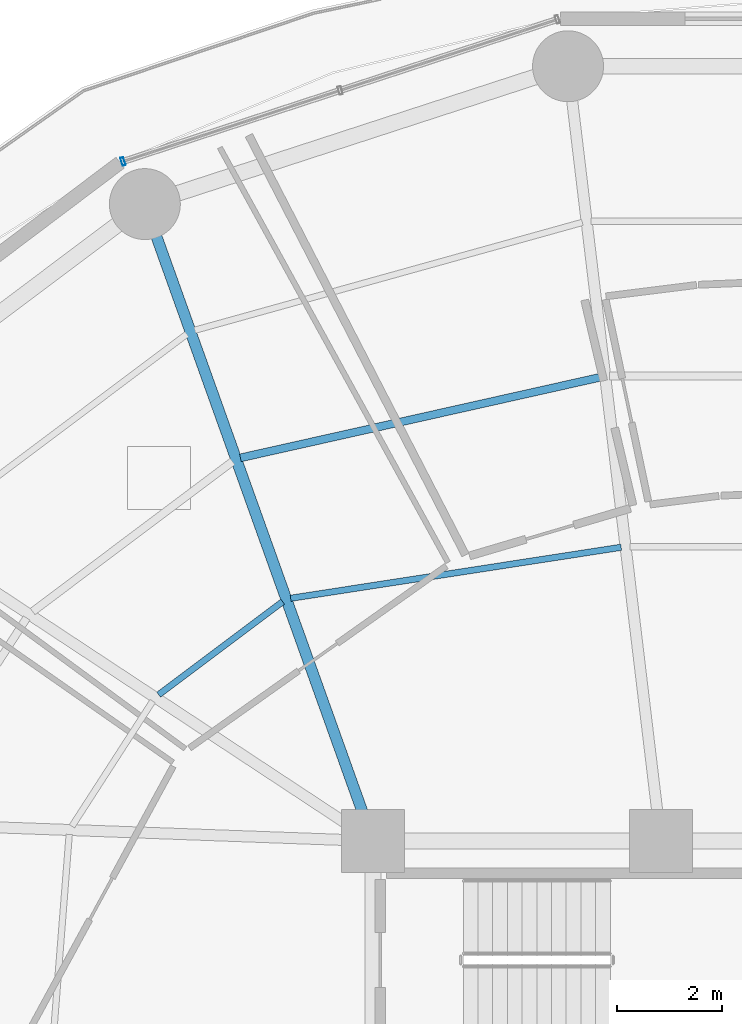
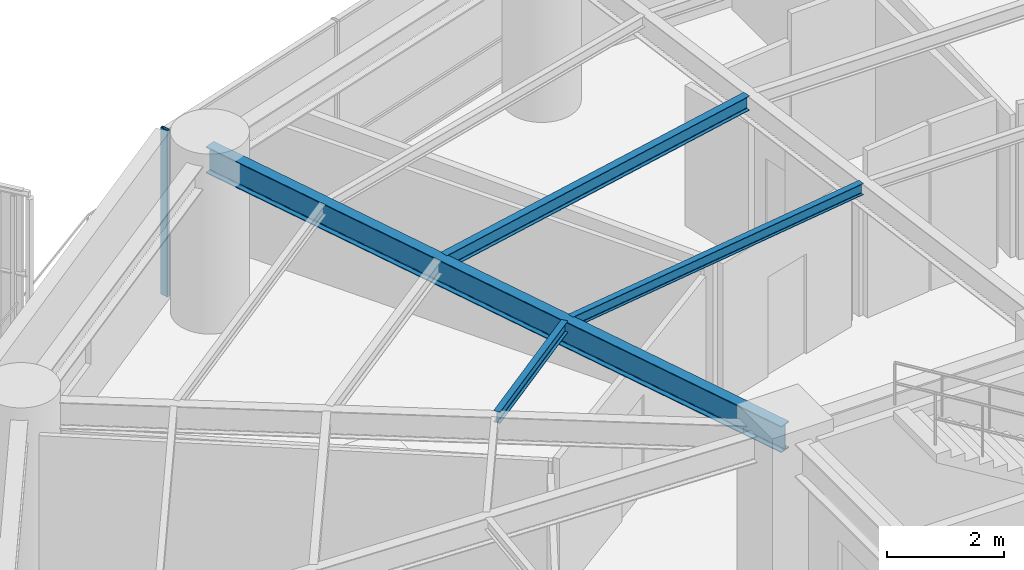
# One storey, part 20 of 35: 4 beams, 1 member, 1 element without a shape of its own.
"""IFC4 building model written with IfcOpenShell, lengths in metres."""

from ifc_helpers import new_model, si_unit, direction, frame, origin, origin_2d, place, context, subcontext, project, spatial, hollow_rectangle, i_section, extrude, material, layer, layer_set, material_profile, profile_set, type_object, element, aggregate, save


model = new_model("IFC4")

# Units and contexts
model_context = context("Model", 3, precision=1e-05, world=origin(), true_north=direction((0.0, 1.0)))
body_context = subcontext(model_context, "Body", "Model", "MODEL_VIEW")
ifc_project = project(units=[si_unit("LENGTHUNIT", "METRE"), si_unit("AREAUNIT", "SQUARE_METRE"), si_unit("VOLUMEUNIT", "CUBIC_METRE"), si_unit("PLANEANGLEUNIT", "RADIAN"), si_unit("MASSUNIT", "GRAM", prefix="KILO")], contexts=[model_context])

# Site, building, storey
site_placement = place(None, origin())
site = spatial("IfcSite", under=ifc_project, at=site_placement, CompositionType="ELEMENT")
building_placement = place(site_placement, origin())
building = spatial("IfcBuilding", under=site, at=building_placement, Name="Kelanora Arch Commons", CompositionType="ELEMENT")
storey_placement = place(building_placement, frame((0.0, 0.0, 117.60009765625)))
storey = spatial("IfcBuildingStorey", under=building, at=storey_placement, Name="L30", CompositionType="ELEMENT", Elevation=117.60009765625)

# Beams
ifc_material_1 = material(Name="Steel S355", Category="steel")
ifc_material_profile_1 = material_profile(ifc_material_1, i_section(OverallWidth=0.14990234375, OverallDepth=0.300048828125, WebThickness=0.007080078125, FlangeThickness=0.0107421875, FilletRadius=0.014892578125, at=origin_2d()), Name="IPE300")
ifc_profile_set_1 = profile_set([ifc_material_profile_1], Name="Steel S355")
beam_type_1 = type_object("IfcBeamType", Name="BM-JST-01", PredefinedType="JOIST", material=ifc_profile_set_1)
beam_1_placement = place(storey_placement, frame((70.337646484375, 73.828125, 3.33984375), z_axis=(-0.975817048791, -0.218588854449, 0.0), x_axis=(0.218588854449, -0.975817048791, 0.0)))
element("IfcBeam", 1, at=beam_1_placement, inside=storey, type_object=beam_type_1, Name="Secondary Chord Joist BJB-10 L30", PredefinedType="JOIST", context=body_context, shape_type="SweptSolid", body=[
    extrude(i_section(OverallWidth=0.14990234375, OverallDepth=0.300048828125, WebThickness=0.007080078125, FlangeThickness=0.0107421875, FilletRadius=0.014892578125, at=origin_2d()), origin(), (0.0, 0.0, 1.0), 7.028564453125),
])
ifc_material_profile_2 = material_profile(ifc_material_1, i_section(OverallWidth=0.1201171875, OverallDepth=0.239990234375, WebThickness=0.006103515625, FlangeThickness=0.009765625, FilletRadius=0.014892578125, at=origin_2d()), Name="IPE240")
ifc_profile_set_2 = profile_set([ifc_material_profile_2], Name="Steel S355")
beam_type_2 = type_object("IfcBeamType", Name="BM-JST-02", PredefinedType="JOIST", material=ifc_profile_set_2)
beam_2_placement = place(storey_placement, frame((70.72509765625, 70.590087890625, 3.369873046875), z_axis=(-0.988295745497, -0.152550055496, 0.0), x_axis=(0.152550055496, -0.988295745497, 0.0)))
element("IfcBeam", 2, at=beam_2_placement, inside=storey, type_object=beam_type_2, Name="Secondary Chord Joist BJA-10 L30", PredefinedType="JOIST", context=body_context, shape_type="SweptSolid", body=[
    extrude(i_section(OverallWidth=0.1201171875, OverallDepth=0.239990234375, WebThickness=0.006103515625, FlangeThickness=0.009765625, FilletRadius=0.014892578125, at=origin_2d()), origin(), (0.0, 0.0, 1.0), 6.36474609375),
])
beam_3_placement = place(storey_placement, frame((64.28271484375, 69.555419921875, 3.369873046875), z_axis=(-0.799692034361, -0.600410401458, 0.0), x_axis=(0.600410401458, -0.799692034361, 0.0)))
element("IfcBeam", 3, at=beam_3_placement, inside=storey, type_object=beam_type_2, Name="Secondary Chord Joist BJA-12 L30", PredefinedType="JOIST", context=body_context, shape_type="SweptSolid", body=[
    extrude(i_section(OverallWidth=0.1201171875, OverallDepth=0.239990234375, WebThickness=0.006103515625, FlangeThickness=0.009765625, FilletRadius=0.014892578125, at=origin_2d()), origin(), (0.0, 0.0, 1.0), 2.949951171875),
])
ifc_material_profile_3 = material_profile(ifc_material_1, i_section(OverallWidth=0.2099609375, OverallDepth=0.550048828125, WebThickness=0.010986328125, FlangeThickness=0.01708984375, FilletRadius=0.02392578125, at=origin_2d()), Name="IPE550")
ifc_profile_set_3 = profile_set([ifc_material_profile_3], Name="Steel S355")
beam_type_3 = type_object("IfcBeamType", Name="BM-RAD-Z2", PredefinedType="BEAM", material=ifc_profile_set_3)
beam_4_placement = place(storey_placement, frame((66.0, 65.0, 3.21484375), z_axis=(-0.337084640008, 0.941474346687, 0.0), x_axis=(-0.941474346687, -0.337084640008, 0.0)))
element("IfcBeam", 4, at=beam_4_placement, inside=storey, type_object=beam_type_3, Name="Radial Floor Girder BR-12 L30", PredefinedType="BEAM", context=body_context, shape_type="SweptSolid", body=[
    extrude(i_section(OverallWidth=0.2099609375, OverallDepth=0.550048828125, WebThickness=0.010986328125, FlangeThickness=0.01708984375, FilletRadius=0.02392578125, at=origin_2d()), origin(), (0.0, 0.0, 1.0), 12.875244140625),
])

# Curtain wall, member
ifc_material_2 = material(Name="Terracotta ceramic-fritted low-E glass and aluminium", Category="masonry")
ifc_layer = layer(ifc_material_2, 0.159912109375)
ifc_layer_set = layer_set([ifc_layer], Name="Terracotta ceramic-fritted low-E glass and aluminium")
curtain_wall_type = type_object("IfcCurtainWallType", Name="CW-SYS-01", PredefinedType="NOTDEFINED", material=ifc_layer_set)
curtain_wall_placement = place(storey_placement, origin())
curtain_wall = element("IfcCurtainWall", 5, at=curtain_wall_placement, inside=storey, type_object=curtain_wall_type, Name="Unitised Curtain Wall L30-B05", PredefinedType="NOTDEFINED")
ifc_material_3 = material(Name="Powder-coated aluminium terracotta", Category="masonry")
ifc_material_profile_4 = material_profile(ifc_material_3, hollow_rectangle(XDim=0.159912109375, YDim=0.06005859375, WallThickness=0.0048828125, InnerFilletRadius=0.0048828125, OuterFilletRadius=0.010009765625, at=origin_2d()), Name="CWM160x60")
ifc_profile_set_4 = profile_set([ifc_material_profile_4], Name="Powder-coated aluminium terracotta")
member_type = type_object("IfcMemberType", Name="CWM-STD", PredefinedType="MULLION", material=ifc_profile_set_4)
member_placement = place(storey_placement, frame((61.242919921875, 77.9326171875, 0.0), z_axis=(0.0, 0.0, 1.0), x_axis=(0.31080470294, -0.950473795867, 0.0)))
member = element("IfcMember", 6, at=member_placement, type_object=member_type, Name="CW-01 mullion 3", PredefinedType="MULLION", context=body_context, shape_type="SweptSolid", body=[
    extrude(hollow_rectangle(XDim=0.159912109375, YDim=0.06005859375, WallThickness=0.0048828125, InnerFilletRadius=0.0048828125, OuterFilletRadius=0.010009765625, at=origin_2d()), origin(), (0.0, 0.0, 1.0), 3.474853515625),
])
aggregate(curtain_wall, [member])

save(model, "model.ifc")
